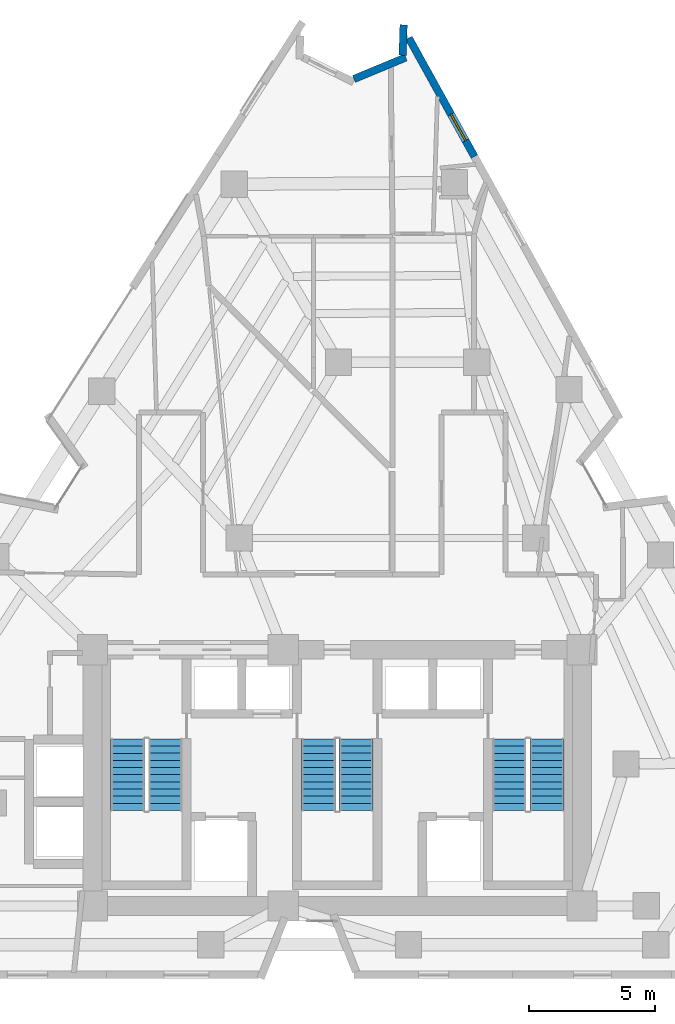
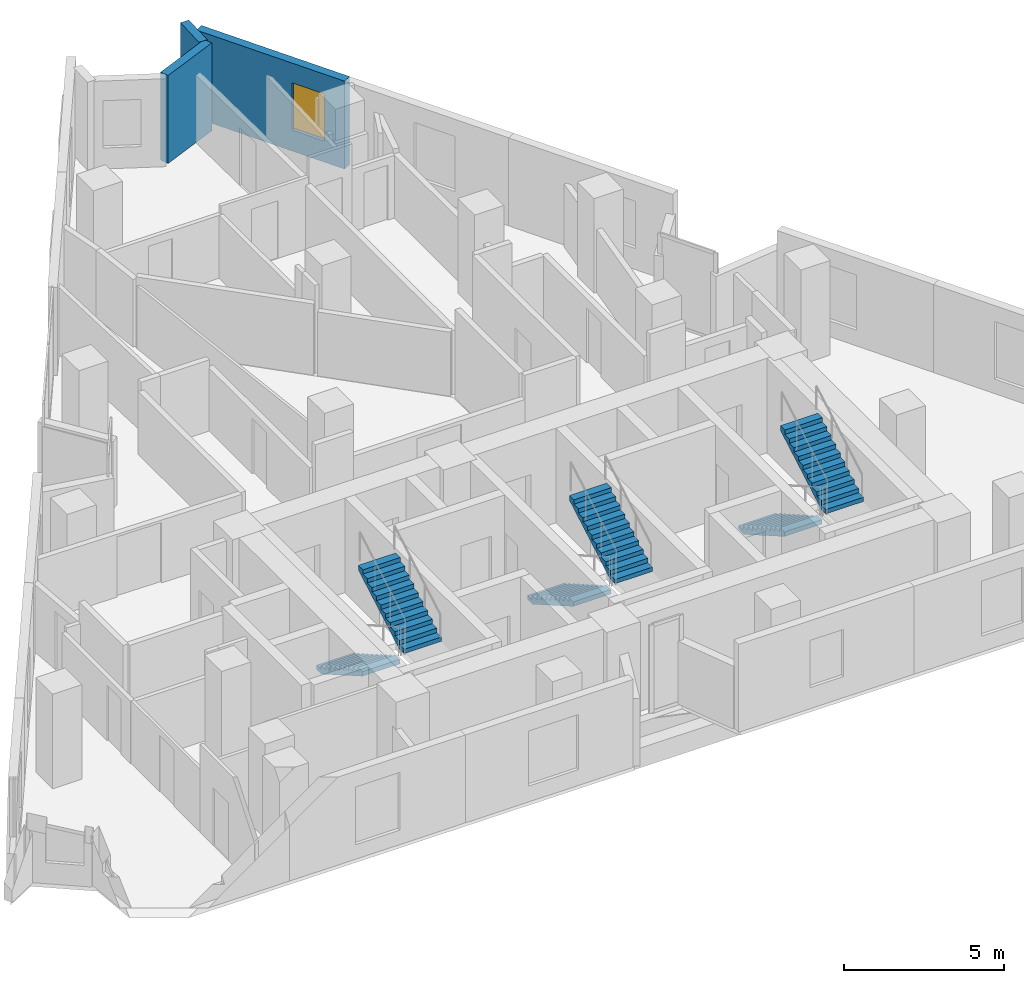
# One storey, part 9 of 10: 6 stair flights, 3 walls, 1 window, 1 opening, 3 elements without a shape of their own.
"""IFC4 building model written with IfcOpenShell, lengths in metres."""

from ifc_helpers import new_model, si_unit, direction, frame, frame_2d, origin, place, context, subcontext, project, spatial, polyline, rectangle, outline, extrude, material, layer, layer_set, type_object, element, fill, aggregate, save


model = new_model("IFC4")

# Units and contexts
model_context = context("Model", 3, precision=1e-05, world=origin(), true_north=direction((0.0, 1.0)))
body_context = subcontext(model_context, "Body", "Model", "MODEL_VIEW")
ifc_project = project(units=[si_unit("LENGTHUNIT", "METRE"), si_unit("AREAUNIT", "SQUARE_METRE"), si_unit("VOLUMEUNIT", "CUBIC_METRE"), si_unit("PLANEANGLEUNIT", "RADIAN"), si_unit("MASSUNIT", "GRAM", prefix="KILO")], contexts=[model_context])

# Site, building, storey
site_placement = place(None, origin())
site = spatial("IfcSite", under=ifc_project, at=site_placement, CompositionType="ELEMENT")
building_placement = place(site_placement, origin())
building = spatial("IfcBuilding", under=site, at=building_placement, Name="Almagre Mirador Tower", CompositionType="ELEMENT")
storey_placement = place(building_placement, frame((0.0, 0.0, 164.39990234375)))
storey = spatial("IfcBuildingStorey", under=building, at=storey_placement, Name="L42", CompositionType="ELEMENT", Elevation=164.39990234375)

# Walls
ifc_material_1 = material(Name="Precast concrete C50/60", Category="concrete")
ifc_layer = layer(ifc_material_1, 0.300048828125)
ifc_layer_set = layer_set([ifc_layer], Name="Precast concrete C50/60")
wall_type = type_object("IfcWallType", Name="WAL-EXT-300", PredefinedType="SOLIDWALL", material=ifc_layer_set)
wall_1_placement = place(storey_placement, frame((37.963134765625, 37.482421875, 0.0), z_axis=(0.0, 0.0, 1.0), x_axis=(0.923538383056, 0.383506003892, 0.0)))
element("IfcWall", 1, at=wall_1_placement, inside=storey, type_object=wall_type, Name="L42 expressed almagre precast frame wall 07", PredefinedType="SOLIDWALL", context=body_context, shape_type="SweptSolid", body=[
    extrude(rectangle(XDim=2.235107421875, YDim=0.300048828125, at=frame_2d((1.11767578125, 0.0))), origin(), (0.0, 0.0, 1.0), 3.35009765625),
])
wall_2_placement = place(storey_placement, frame((39.902587890625, 38.426025390625, 0.0), z_axis=(0.0, 0.0, 1.0), x_axis=(0.031962743503, 0.999489060985, 0.0)))
element("IfcWall", 2, at=wall_2_placement, inside=storey, type_object=wall_type, Name="L42 expressed almagre precast frame wall 08", PredefinedType="SOLIDWALL", context=body_context, shape_type="SweptSolid", body=[
    extrude(rectangle(XDim=1.214599609375, YDim=0.300048828125, at=frame_2d((0.607421875, 0.0))), origin(), (0.0, 0.0, 1.0), 3.35009765625),
])

# Wall, opening, window
wall_3_placement = place(storey_placement, frame((40.14990234375, 39.114990234375, 0.0), z_axis=(0.0, 0.0, 1.0), x_axis=(0.484220621964, -0.874945935052, 0.0)))
wall_3 = element("IfcWall", 3, at=wall_3_placement, inside=storey, type_object=wall_type, Name="L42 expressed almagre precast frame wall 09", PredefinedType="SOLIDWALL", context=body_context, shape_type="SweptSolid", body=[
    extrude(rectangle(XDim=5.394775390625, YDim=0.300048828125, at=frame_2d((2.697265625, 0.0))), origin(), (0.0, 0.0, 1.0), 3.35009765625),
])
opening_placement = place(wall_3_placement, frame((3.469970703125, 0.0, 0.800048828125)))
opening = element("IfcOpeningElement", 4, at=opening_placement, cuts=wall_3, Name="Opening WN-04", PredefinedType="OPENING", context=body_context, shape_type="SweptSolid", body=[
    extrude(rectangle(XDim=1.199951171875, YDim=1.800048828125, at=frame_2d((0.60009765625, 0.89990234375))), frame((0.0, 0.159902, 0.0), z_axis=(0.0, -1.0, 0.0), x_axis=(1.0, 0.0, 0.0)), (0.0, 0.0, 1.0), 0.320049),
])
ifc_material_2 = material(Name="Dark solar-control laminated hurricane glass", Category="glass")
window_type = type_object("IfcWindowType", Name="WIN-1200X1800", PartitioningType="SINGLE_PANEL", PredefinedType="WINDOW", material=ifc_material_2)
window_placement = place(opening_placement, origin())
window = element("IfcWindow", 5, at=window_placement, inside=storey, type_object=window_type, Name="L42 recessed hurricane window L42-UK-BT", OverallHeight=1.800048828125, OverallWidth=1.199951171875, PartitioningType="SINGLE_PANEL", PredefinedType="WINDOW", context=body_context, shape_type="SweptSolid", body=[
    extrude(rectangle(XDim=1.199951171875, YDim=1.800048828125, at=frame_2d((0.60009765625, 0.89990234375))), frame((0.0, 0.030029296875, 0.0), z_axis=(0.0, -1.0, 0.0), x_axis=(1.0, 0.0, 0.0)), (0.0, 0.0, 1.0), 0.06005859375),
])
fill(opening, window)

# Stair, stair flights
ifc_material_3 = material(Name="Concrete C45/55", Category="concrete")
stair_type = type_object("IfcStairType", Name="STR-DL-3600", PredefinedType="HALF_TURN_STAIR", material=ifc_material_3)
stair_1_placement = place(storey_placement, origin())
stair_1 = element("IfcStair", 6, at=stair_1_placement, inside=storey, type_object=stair_type, Name="L42 Protected exit stair ST-1", PredefinedType="HALF_TURN_STAIR")
ifc_material_4 = material(Name="Concrete C45/55", Category="concrete")
stair_flight_type = type_object("IfcStairFlightType", Name="FLT-DL-3600", PredefinedType="STRAIGHT", material=ifc_material_4)
stair_flight_1_placement = place(storey_placement, frame((28.949951171875, 11.199951171875, 0.0), z_axis=(0.0, 0.0, 1.0), x_axis=(0.0, -1.0, 0.0)))
stair_flight_1 = element("IfcStairFlight", 7, at=stair_flight_1_placement, type_object=stair_flight_type, Name="ST-1 flight 1", NumberOfRisers=11, NumberOfTreads=10, PredefinedType="STRAIGHT", RiserHeight=0.163636364, TreadLength=0.285, context=body_context, shape_type="SweptSolid", body=[
    extrude(outline(polyline([(0.0, 0.0), (0.0, 0.16357421875), (0.284912109375, 0.16357421875), (0.284912109375, 0.327392578125), (0.570068359375, 0.327392578125), (0.570068359375, 0.490966796875), (0.85498046875, 0.490966796875), (0.85498046875, 0.654541015625), (1.139892578125, 0.654541015625), (1.139892578125, 0.818115234375), (1.425048828125, 0.818115234375), (1.425048828125, 0.98193359375), (1.7099609375, 0.98193359375), (1.7099609375, 1.1455078125), (1.9951171875, 1.1455078125), (1.9951171875, 1.30908203125), (2.280029296875, 1.30908203125), (2.280029296875, 1.47265625), (2.56494140625, 1.47265625), (2.56494140625, 1.636474609375), (2.85009765625, 1.636474609375), (2.85009765625, 1.800048828125), (2.85009765625, 1.463623046875), (0.301025390625, 0.0), (0.0, 0.0)])), frame((0.0, 0.675048828125, 0.0), z_axis=(0.0, -1.0, 0.0), x_axis=(1.0, 0.0, 0.0)), (0.0, 0.0, 1.0), 1.35009765625),
])
stair_flight_2_placement = place(storey_placement, frame((30.449951171875, 8.35009765625, 1.800048828125), z_axis=(0.0, 0.0, 1.0), x_axis=(0.0, 1.0, 0.0)))
stair_flight_2 = element("IfcStairFlight", 8, at=stair_flight_2_placement, type_object=stair_flight_type, Name="ST-1 flight 2", NumberOfRisers=11, NumberOfTreads=10, PredefinedType="STRAIGHT", RiserHeight=0.163636364, TreadLength=0.285, context=body_context, shape_type="SweptSolid", body=[
    extrude(outline(polyline([(0.0, 0.0), (0.0, 0.16357421875), (0.284912109375, 0.16357421875), (0.284912109375, 0.327392578125), (0.570068359375, 0.327392578125), (0.570068359375, 0.490966796875), (0.85498046875, 0.490966796875), (0.85498046875, 0.654541015625), (1.139892578125, 0.654541015625), (1.139892578125, 0.818115234375), (1.425048828125, 0.818115234375), (1.425048828125, 0.98193359375), (1.7099609375, 0.98193359375), (1.7099609375, 1.1455078125), (1.9951171875, 1.1455078125), (1.9951171875, 1.30908203125), (2.280029296875, 1.30908203125), (2.280029296875, 1.47265625), (2.56494140625, 1.47265625), (2.56494140625, 1.636474609375), (2.85009765625, 1.636474609375), (2.85009765625, 1.800048828125), (2.85009765625, 1.463623046875), (0.301025390625, 0.0), (0.0, 0.0)])), frame((0.0, 0.675048828125, 0.0), z_axis=(0.0, -1.0, 0.0), x_axis=(1.0, 0.0, 0.0)), (0.0, 0.0, 1.0), 1.35009765625),
])
aggregate(stair_1, [stair_flight_1, stair_flight_2])

stair_2_placement = place(storey_placement, origin())
stair_2 = element("IfcStair", 9, at=stair_2_placement, inside=storey, type_object=stair_type, Name="L42 Protected exit stair ST-2", PredefinedType="HALF_TURN_STAIR")
stair_flight_3_placement = place(storey_placement, frame((36.550048828125, 11.199951171875, 0.0), z_axis=(0.0, 0.0, 1.0), x_axis=(0.0, -1.0, 0.0)))
stair_flight_3 = element("IfcStairFlight", 10, at=stair_flight_3_placement, type_object=stair_flight_type, Name="ST-2 flight 1", NumberOfRisers=11, NumberOfTreads=10, PredefinedType="STRAIGHT", RiserHeight=0.163636364, TreadLength=0.285, context=body_context, shape_type="SweptSolid", body=[
    extrude(outline(polyline([(0.0, 0.0), (0.0, 0.16357421875), (0.284912109375, 0.16357421875), (0.284912109375, 0.327392578125), (0.570068359375, 0.327392578125), (0.570068359375, 0.490966796875), (0.85498046875, 0.490966796875), (0.85498046875, 0.654541015625), (1.139892578125, 0.654541015625), (1.139892578125, 0.818115234375), (1.425048828125, 0.818115234375), (1.425048828125, 0.98193359375), (1.7099609375, 0.98193359375), (1.7099609375, 1.1455078125), (1.9951171875, 1.1455078125), (1.9951171875, 1.30908203125), (2.280029296875, 1.30908203125), (2.280029296875, 1.47265625), (2.56494140625, 1.47265625), (2.56494140625, 1.636474609375), (2.85009765625, 1.636474609375), (2.85009765625, 1.800048828125), (2.85009765625, 1.463623046875), (0.301025390625, 0.0), (0.0, 0.0)])), frame((0.0, 0.675048828125, 0.0), z_axis=(0.0, -1.0, 0.0), x_axis=(1.0, 0.0, 0.0)), (0.0, 0.0, 1.0), 1.35009765625),
])
stair_flight_4_placement = place(storey_placement, frame((38.050048828125, 8.35009765625, 1.800048828125), z_axis=(0.0, 0.0, 1.0), x_axis=(0.0, 1.0, 0.0)))
stair_flight_4 = element("IfcStairFlight", 11, at=stair_flight_4_placement, type_object=stair_flight_type, Name="ST-2 flight 2", NumberOfRisers=11, NumberOfTreads=10, PredefinedType="STRAIGHT", RiserHeight=0.163636364, TreadLength=0.285, context=body_context, shape_type="SweptSolid", body=[
    extrude(outline(polyline([(0.0, 0.0), (0.0, 0.16357421875), (0.284912109375, 0.16357421875), (0.284912109375, 0.327392578125), (0.570068359375, 0.327392578125), (0.570068359375, 0.490966796875), (0.85498046875, 0.490966796875), (0.85498046875, 0.654541015625), (1.139892578125, 0.654541015625), (1.139892578125, 0.818115234375), (1.425048828125, 0.818115234375), (1.425048828125, 0.98193359375), (1.7099609375, 0.98193359375), (1.7099609375, 1.1455078125), (1.9951171875, 1.1455078125), (1.9951171875, 1.30908203125), (2.280029296875, 1.30908203125), (2.280029296875, 1.47265625), (2.56494140625, 1.47265625), (2.56494140625, 1.636474609375), (2.85009765625, 1.636474609375), (2.85009765625, 1.800048828125), (2.85009765625, 1.463623046875), (0.301025390625, 0.0), (0.0, 0.0)])), frame((0.0, 0.675048828125, 0.0), z_axis=(0.0, -1.0, 0.0), x_axis=(1.0, 0.0, 0.0)), (0.0, 0.0, 1.0), 1.35009765625),
])
aggregate(stair_2, [stair_flight_3, stair_flight_4])

stair_3_placement = place(storey_placement, origin())
stair_3 = element("IfcStair", 12, at=stair_3_placement, inside=storey, type_object=stair_type, Name="L42 Protected exit stair ST-3", PredefinedType="HALF_TURN_STAIR")
stair_flight_5_placement = place(storey_placement, frame((44.14990234375, 11.199951171875, 0.0), z_axis=(0.0, 0.0, 1.0), x_axis=(0.0, -1.0, 0.0)))
stair_flight_5 = element("IfcStairFlight", 13, at=stair_flight_5_placement, type_object=stair_flight_type, Name="ST-3 flight 1", NumberOfRisers=11, NumberOfTreads=10, PredefinedType="STRAIGHT", RiserHeight=0.163636364, TreadLength=0.285, context=body_context, shape_type="SweptSolid", body=[
    extrude(outline(polyline([(0.0, 0.0), (0.0, 0.16357421875), (0.284912109375, 0.16357421875), (0.284912109375, 0.327392578125), (0.570068359375, 0.327392578125), (0.570068359375, 0.490966796875), (0.85498046875, 0.490966796875), (0.85498046875, 0.654541015625), (1.139892578125, 0.654541015625), (1.139892578125, 0.818115234375), (1.425048828125, 0.818115234375), (1.425048828125, 0.98193359375), (1.7099609375, 0.98193359375), (1.7099609375, 1.1455078125), (1.9951171875, 1.1455078125), (1.9951171875, 1.30908203125), (2.280029296875, 1.30908203125), (2.280029296875, 1.47265625), (2.56494140625, 1.47265625), (2.56494140625, 1.636474609375), (2.85009765625, 1.636474609375), (2.85009765625, 1.800048828125), (2.85009765625, 1.463623046875), (0.301025390625, 0.0), (0.0, 0.0)])), frame((0.0, 0.675048828125, 0.0), z_axis=(0.0, -1.0, 0.0), x_axis=(1.0, 0.0, 0.0)), (0.0, 0.0, 1.0), 1.35009765625),
])
stair_flight_6_placement = place(storey_placement, frame((45.64990234375, 8.35009765625, 1.800048828125), z_axis=(0.0, 0.0, 1.0), x_axis=(0.0, 1.0, 0.0)))
stair_flight_6 = element("IfcStairFlight", 14, at=stair_flight_6_placement, type_object=stair_flight_type, Name="ST-3 flight 2", NumberOfRisers=11, NumberOfTreads=10, PredefinedType="STRAIGHT", RiserHeight=0.163636364, TreadLength=0.285, context=body_context, shape_type="SweptSolid", body=[
    extrude(outline(polyline([(0.0, 0.0), (0.0, 0.16357421875), (0.284912109375, 0.16357421875), (0.284912109375, 0.327392578125), (0.570068359375, 0.327392578125), (0.570068359375, 0.490966796875), (0.85498046875, 0.490966796875), (0.85498046875, 0.654541015625), (1.139892578125, 0.654541015625), (1.139892578125, 0.818115234375), (1.425048828125, 0.818115234375), (1.425048828125, 0.98193359375), (1.7099609375, 0.98193359375), (1.7099609375, 1.1455078125), (1.9951171875, 1.1455078125), (1.9951171875, 1.30908203125), (2.280029296875, 1.30908203125), (2.280029296875, 1.47265625), (2.56494140625, 1.47265625), (2.56494140625, 1.636474609375), (2.85009765625, 1.636474609375), (2.85009765625, 1.800048828125), (2.85009765625, 1.463623046875), (0.301025390625, 0.0), (0.0, 0.0)])), frame((0.0, 0.675048828125, 0.0), z_axis=(0.0, -1.0, 0.0), x_axis=(1.0, 0.0, 0.0)), (0.0, 0.0, 1.0), 1.35009765625),
])
aggregate(stair_3, [stair_flight_5, stair_flight_6])

save(model, "model.ifc")
